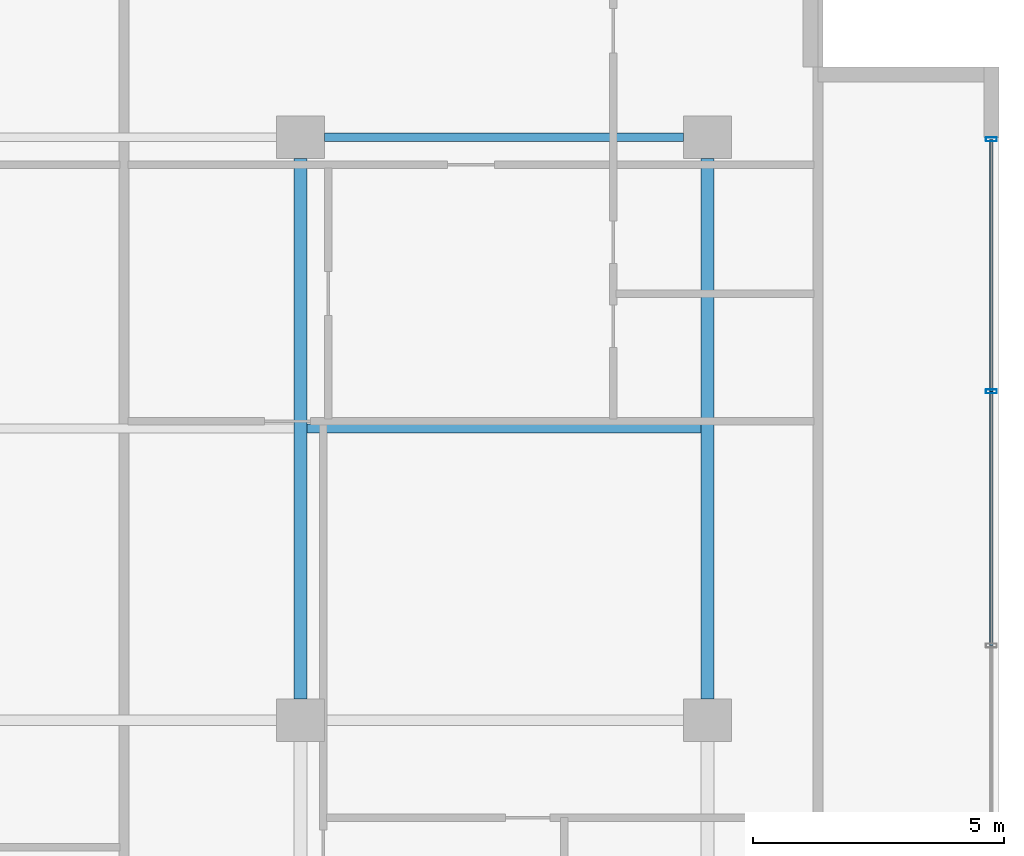
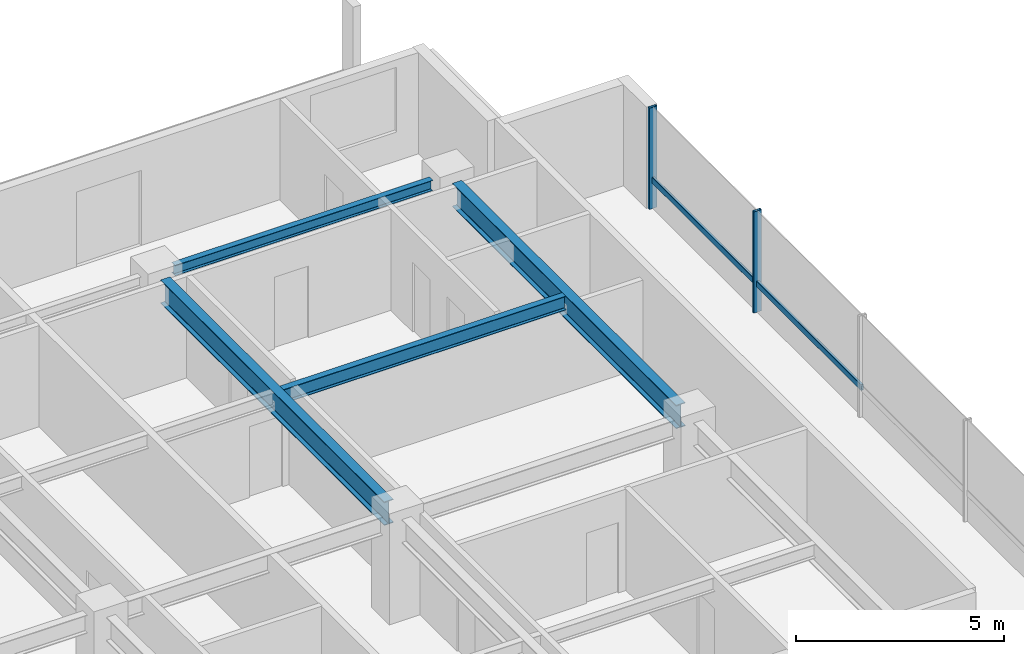
# One storey, part 18 of 38: 4 beams, 4 members, 1 element without a shape of its own.
"""IFC4 building model written with IfcOpenShell, lengths in metres."""

from ifc_helpers import new_model, si_unit, direction, frame, origin, origin_2d, place, context, subcontext, project, spatial, hollow_rectangle, i_section, extrude, material, layer, layer_set, material_profile, profile_set, type_object, element, aggregate, save


model = new_model("IFC4")

# Units and contexts
model_context = context("Model", 3, precision=1e-05, world=origin(), true_north=direction((0.0, 1.0)))
body_context = subcontext(model_context, "Body", "Model", "MODEL_VIEW")
ifc_project = project(units=[si_unit("LENGTHUNIT", "METRE"), si_unit("AREAUNIT", "SQUARE_METRE"), si_unit("VOLUMEUNIT", "CUBIC_METRE"), si_unit("PLANEANGLEUNIT", "RADIAN"), si_unit("MASSUNIT", "GRAM", prefix="KILO")], contexts=[model_context])

# Site, building, storey
site_placement = place(None, origin())
site = spatial("IfcSite", under=ifc_project, at=site_placement, CompositionType="ELEMENT")
building_placement = place(site_placement, origin())
building = spatial("IfcBuilding", under=site, at=building_placement, Name="Korimba Cascade Residences", CompositionType="ELEMENT")
storey_placement = place(building_placement, frame((0.0, 0.0, 93.800048828125)))
storey = spatial("IfcBuildingStorey", under=building, at=storey_placement, Name="L26", CompositionType="ELEMENT", Elevation=93.800048828125)

# Beams
ifc_material_1 = material(Name="Steel S355", Category="steel")
ifc_material_profile_1 = material_profile(ifc_material_1, i_section(OverallWidth=0.165771484375, OverallDepth=0.306640625, WebThickness=0.006591796875, FlangeThickness=0.01171875, FilletRadius=0.0087890625, at=origin_2d()), Name="Steel S355")
ifc_profile_set_1 = profile_set([ifc_material_profile_1], Name="Steel S355")
beam_type_1 = type_object("IfcBeamType", Name="BM-STL-UB305", PredefinedType="SPANDREL", material=ifc_profile_set_1)
beam_1_placement = place(storey_placement, frame((120.77490234375, 91.199951171875, 2.816650390625), z_axis=(1.0, 0.0, 0.0), x_axis=(0.0, 1.0, 0.0)))
element("IfcBeam", 1, at=beam_1_placement, inside=storey, type_object=beam_type_1, Name="L26 T1 E-W Girder Y4 Bay 8", PredefinedType="SPANDREL", context=body_context, shape_type="SweptSolid", body=[
    extrude(i_section(OverallWidth=0.165771484375, OverallDepth=0.306640625, WebThickness=0.006591796875, FlangeThickness=0.01171875, FilletRadius=0.0087890625, at=origin_2d()), origin(), (0.0, 0.0, 1.0), 7.150146484375),
])
ifc_material_profile_2 = material_profile(ifc_material_1, i_section(OverallWidth=0.1787109375, OverallDepth=0.409423828125, WebThickness=0.0087890625, FlangeThickness=0.014404296875, FilletRadius=0.01025390625, at=origin_2d()), Name="Steel S355")
ifc_profile_set_2 = profile_set([ifc_material_profile_2], Name="Steel S355")
beam_type_2 = type_object("IfcBeamType", Name="BM-STL-UB406", PredefinedType="JOIST", material=ifc_profile_set_2)
beam_2_placement = place(storey_placement, frame((120.427978515625, 85.39990234375, 2.76513671875), z_axis=(1.0, 0.0, 0.0), x_axis=(0.0, 1.0, 0.0)))
element("IfcBeam", 2, at=beam_2_placement, inside=storey, type_object=beam_type_2, Name="L26 T1 Floor Joist 2.8", PredefinedType="JOIST", context=body_context, shape_type="SweptSolid", body=[
    extrude(i_section(OverallWidth=0.1787109375, OverallDepth=0.409423828125, WebThickness=0.0087890625, FlangeThickness=0.014404296875, FilletRadius=0.01025390625, at=origin_2d()), origin(), (0.0, 0.0, 1.0), 7.84423828125),
])
ifc_material_profile_3 = material_profile(ifc_material_1, i_section(OverallWidth=0.255859375, OverallDepth=0.69287109375, WebThickness=0.014404296875, FlangeThickness=0.023681640625, FilletRadius=0.01513671875, at=origin_2d()), Name="Steel S355")
ifc_profile_set_3 = profile_set([ifc_material_profile_3], Name="Steel S355")
beam_type_3 = type_object("IfcBeamType", Name="BM-STL-UB686", PredefinedType="BEAM", material=ifc_profile_set_3)
for number, where, z_axis, x_axis, name in (
    (3, (120.300048828125, 80.02490234375, 2.62353515625), (0.0, 1.0, 0.0), (-1.0, 0.0, 0.0), "L26 T1 N-S Girder X8 Seg 3"),
    (4, (128.39990234375, 80.02490234375, 2.62353515625), (0.0, 1.0, 0.0), (-1.0, 0.0, 0.0), "L26 T1 N-S Girder X9 Seg 3"),
):
    element("IfcBeam", number, at=place(storey_placement, frame(where, z_axis=z_axis, x_axis=x_axis)), inside=storey, type_object=beam_type_3, Name=name, PredefinedType="BEAM", context=body_context, shape_type="SweptSolid", body=[
        extrude(i_section(OverallWidth=0.255859375, OverallDepth=0.69287109375, WebThickness=0.014404296875, FlangeThickness=0.023681640625, FilletRadius=0.01513671875, at=origin_2d()), origin(), (0.0, 0.0, 1.0), 10.75),
    ])

# Curtain wall, members
ifc_material_2 = material(Name="Anodised Aluminium Curtain Wall Framing", Category="aluminium")
ifc_layer = layer(ifc_material_2, 0.179931640625)
ifc_layer_set = layer_set([ifc_layer], Name="Anodised Aluminium Curtain Wall Framing")
curtain_wall_type = type_object("IfcCurtainWallType", Name="CW-SKY-SYS2", PredefinedType="NOTDEFINED", material=ifc_layer_set)
curtain_wall_placement = place(storey_placement, origin())
curtain_wall = element("IfcCurtainWall", 5, at=curtain_wall_placement, inside=storey, type_object=curtain_wall_type, Name="L26 Curtain Wall CW-L26-T1-E3", PredefinedType="NOTDEFINED")
ifc_material_3 = material(Name="Anodised Aluminium Mullion", Category="aluminium")
ifc_material_profile_4 = material_profile(ifc_material_3, hollow_rectangle(XDim=0.080078125, YDim=0.219970703125, WallThickness=0.00634765625, InnerFilletRadius=0.00634765625, OuterFilletRadius=0.0126953125, at=origin_2d()), Name="Anodised Aluminium Mullion")
ifc_profile_set_4 = profile_set([ifc_material_profile_4], Name="Anodised Aluminium Mullion")
member_type_1 = type_object("IfcMemberType", Name="CWM-MUL-220", PredefinedType="MULLION", material=ifc_profile_set_4)
member_1_placement = place(storey_placement, frame((134.050048828125, 86.142822265625, 0.0), z_axis=(0.0, 0.0, 1.0), x_axis=(0.0, 1.0, 0.0)))
member_1 = element("IfcMember", 6, at=member_1_placement, type_object=member_type_1, Name="CW-L26-T1-E3 Mullion 7", PredefinedType="MULLION", context=body_context, shape_type="SweptSolid", body=[
    extrude(hollow_rectangle(XDim=0.080078125, YDim=0.219970703125, WallThickness=0.00634765625, InnerFilletRadius=0.00634765625, OuterFilletRadius=0.0126953125, at=origin_2d()), origin(), (0.0, 0.0, 1.0), 2.969970703125),
])
member_2_placement = place(storey_placement, frame((134.050048828125, 91.159912109375, 0.0), z_axis=(0.0, 0.0, 1.0), x_axis=(0.0, 1.0, 0.0)))
member_2 = element("IfcMember", 7, at=member_2_placement, type_object=member_type_1, Name="CW-L26-T1-E3 Mullion 8", PredefinedType="MULLION", context=body_context, shape_type="SweptSolid", body=[
    extrude(hollow_rectangle(XDim=0.080078125, YDim=0.219970703125, WallThickness=0.00634765625, InnerFilletRadius=0.00634765625, OuterFilletRadius=0.0126953125, at=origin_2d()), origin(), (0.0, 0.0, 1.0), 2.969970703125),
])
ifc_material_4 = material(Name="Anodised Aluminium Transom", Category="aluminium")
ifc_material_profile_5 = material_profile(ifc_material_4, hollow_rectangle(XDim=0.070068359375, YDim=0.179931640625, WallThickness=0.0048828125, InnerFilletRadius=0.0048828125, OuterFilletRadius=0.010009765625, at=origin_2d()), Name="Anodised Aluminium Transom")
ifc_profile_set_5 = profile_set([ifc_material_profile_5], Name="Anodised Aluminium Transom")
member_type_2 = type_object("IfcMemberType", Name="CWM-TRN-150", PredefinedType="USERDEFINED", material=ifc_profile_set_5)
member_3_placement = place(storey_placement, frame((134.050048828125, 81.085693359375, 0.83154296875), z_axis=(0.0, 1.0, 0.0), x_axis=(-1.0, 0.0, 0.0)))
member_3 = element("IfcMember", 8, at=member_3_placement, type_object=member_type_2, Name="CW-L26-T1-E3 Transom 6", ObjectType="TRANSOM", PredefinedType="USERDEFINED", context=body_context, shape_type="SweptSolid", body=[
    extrude(hollow_rectangle(XDim=0.070068359375, YDim=0.179931640625, WallThickness=0.0048828125, InnerFilletRadius=0.0048828125, OuterFilletRadius=0.010009765625, at=origin_2d()), origin(), (0.0, 0.0, 1.0), 5.05712890625),
])
member_4_placement = place(storey_placement, frame((134.050048828125, 86.142822265625, 0.83154296875), z_axis=(0.0, 1.0, 0.0), x_axis=(-1.0, 0.0, 0.0)))
member_4 = element("IfcMember", 9, at=member_4_placement, type_object=member_type_2, Name="CW-L26-T1-E3 Transom 7", ObjectType="TRANSOM", PredefinedType="USERDEFINED", context=body_context, shape_type="SweptSolid", body=[
    extrude(hollow_rectangle(XDim=0.070068359375, YDim=0.179931640625, WallThickness=0.0048828125, InnerFilletRadius=0.0048828125, OuterFilletRadius=0.010009765625, at=origin_2d()), origin(), (0.0, 0.0, 1.0), 5.01708984375),
])
aggregate(curtain_wall, [member_1, member_2, member_3, member_4])

save(model, "model.ifc")
